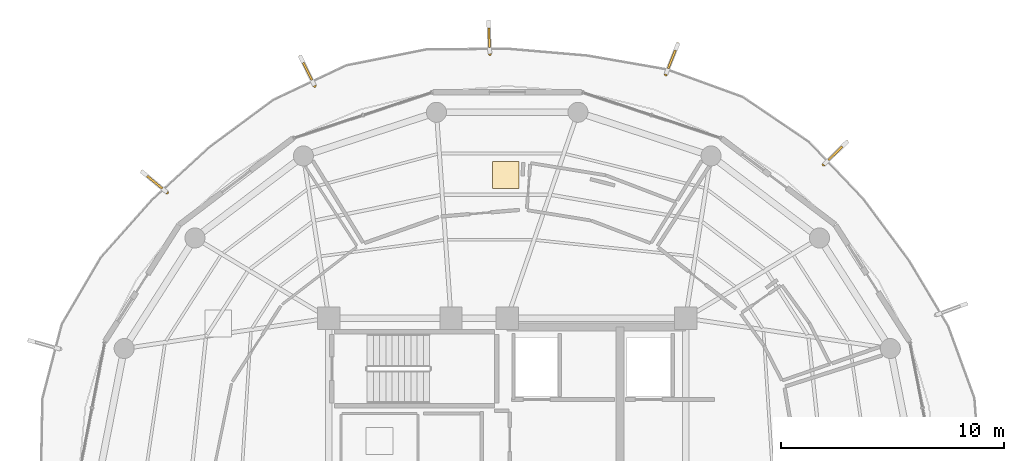
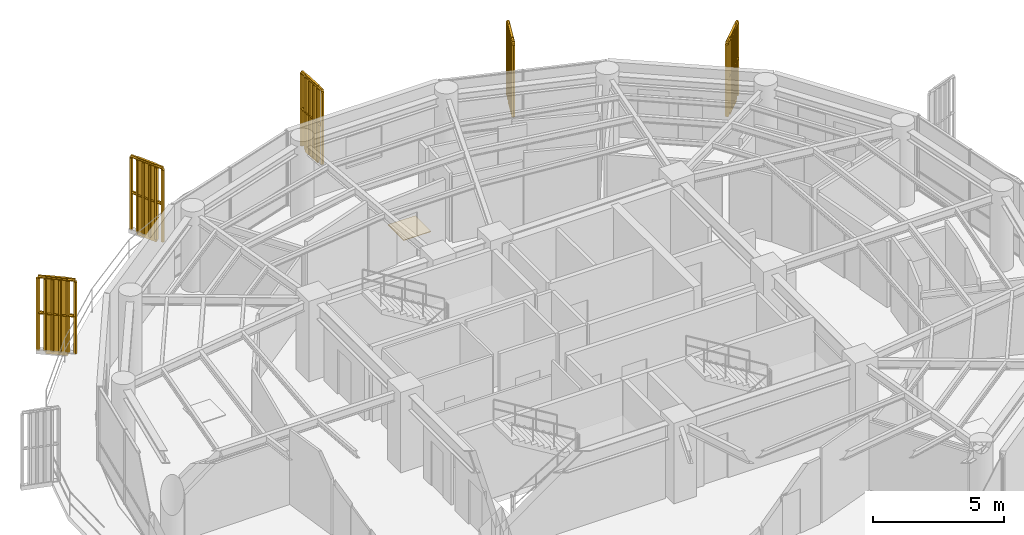
# One storey, part 22 of 22: 5 railings, 5 shading devices, 1 covering.
"""IFC4 building model written with IfcOpenShell, lengths in metres."""

from ifc_helpers import new_model, si_unit, direction, frame, origin, origin_2d, place, context, subcontext, project, spatial, polyline, rectangle, outline, extrude, source, transform, mapped, material, layer, layer_set, type_object, element, save


model = new_model("IFC4")

# Units and contexts
model_context = context("Model", 3, precision=1e-05, world=origin(), true_north=direction((0.0, 1.0)))
body_context = subcontext(model_context, "Body", "Model", "MODEL_VIEW")
ifc_project = project(units=[si_unit("LENGTHUNIT", "METRE"), si_unit("AREAUNIT", "SQUARE_METRE"), si_unit("VOLUMEUNIT", "CUBIC_METRE"), si_unit("PLANEANGLEUNIT", "RADIAN"), si_unit("MASSUNIT", "GRAM", prefix="KILO")], contexts=[model_context])

# Site, building, storey
site_placement = place(None, origin())
site = spatial("IfcSite", under=ifc_project, at=site_placement, CompositionType="ELEMENT")
building_placement = place(site_placement, origin())
building = spatial("IfcBuilding", under=site, at=building_placement, Name="Kelanora Arch Commons", CompositionType="ELEMENT")
storey_placement = place(building_placement, frame((0.0, 0.0, 263.699951171875)))
storey = spatial("IfcBuildingStorey", under=building, at=storey_placement, Name="L67", CompositionType="ELEMENT", Elevation=263.699951171875)

# Railings
ifc_material_1 = material(Name="Anodised bronze vertical shading fin rib assembly")
railing_type = type_object("IfcRailingType", Name="RAIL-FIN-BRZ", PredefinedType="BALUSTRADE", material=ifc_material_1)
railing_1_placement = place(storey_placement, frame((88.19482421875, 71.884521484375, -0.02001953125)))
element("IfcRailing", 1, at=railing_1_placement, inside=storey, type_object=railing_type, Name="Sweeping Bronze Vertical Fin Blade L67-03", PredefinedType="BALUSTRADE", context=body_context, shape_type="SweptSolid", body=[
    extrude(outline(polyline([(0.06982421875, 0.0), (0.034912109375, 0.060546875), (-0.034912109375, 0.060546875), (-0.06982421875, 0.0), (-0.034912109375, -0.060546875), (0.034912109375, -0.060546875), (0.06982421875, 0.0)])), frame((0.0, 0.0, 3.419921875), z_axis=(0.71491104996, 0.699215410761, 0.0), x_axis=(-0.699215410761, 0.71491104996, 0.0)), (0.0, 0.0, 1.0), 1.446533203125),
    extrude(outline(polyline([(0.06982421875, 0.0), (0.034912109375, 0.060546875), (-0.034912109375, 0.060546875), (-0.06982421875, 0.0), (-0.034912109375, -0.060546875), (0.034912109375, -0.060546875), (0.06982421875, 0.0)])), frame((0.0, 0.0, 1.7451171875), z_axis=(0.71491104996, 0.699215410761, 0.0), x_axis=(-0.699215410761, 0.71491104996, 0.0)), (0.0, 0.0, 1.0), 1.446533203125),
    extrude(outline(polyline([(0.080078125, 0.0), (0.0400390625, 0.0693359375), (-0.0400390625, 0.0693359375), (-0.080078125, 0.0), (-0.0400390625, -0.0693359375), (0.0400390625, -0.0693359375), (0.080078125, 0.0)])), origin(), (0.0, 0.0, 1.0), 3.35009765625),
    extrude(outline(polyline([(0.080078125, 0.0), (0.0400390625, 0.0693359375), (-0.0400390625, 0.0693359375), (-0.080078125, 0.0), (-0.0400390625, -0.0693359375), (0.0400390625, -0.0693359375), (0.080078125, 0.0)])), frame((0.206787109375, 0.202392578125, 0.0)), (0.0, 0.0, 1.0), 3.35009765625),
    extrude(outline(polyline([(0.080078125, 0.0), (0.0400390625, 0.0693359375), (-0.0400390625, 0.0693359375), (-0.080078125, 0.0), (-0.0400390625, -0.0693359375), (0.0400390625, -0.0693359375), (0.080078125, 0.0)])), frame((0.41357421875, 0.404541015625, 0.0)), (0.0, 0.0, 1.0), 3.35009765625),
    extrude(outline(polyline([(0.080078125, 0.0), (0.0400390625, 0.0693359375), (-0.0400390625, 0.0693359375), (-0.080078125, 0.0), (-0.0400390625, -0.0693359375), (0.0400390625, -0.0693359375), (0.080078125, 0.0)])), frame((0.62060546875, 0.60693359375, 0.0)), (0.0, 0.0, 1.0), 3.35009765625),
    extrude(outline(polyline([(0.080078125, 0.0), (0.0400390625, 0.0693359375), (-0.0400390625, 0.0693359375), (-0.080078125, 0.0), (-0.0400390625, -0.0693359375), (0.0400390625, -0.0693359375), (0.080078125, 0.0)])), frame((0.827392578125, 0.80908203125, 0.0)), (0.0, 0.0, 1.0), 3.35009765625),
    extrude(outline(polyline([(0.080078125, 0.0), (0.0400390625, 0.0693359375), (-0.0400390625, 0.0693359375), (-0.080078125, 0.0), (-0.0400390625, -0.0693359375), (0.0400390625, -0.0693359375), (0.080078125, 0.0)])), frame((1.0341796875, 1.011474609375, 0.0)), (0.0, 0.0, 1.0), 3.35009765625),
])
railing_2_placement = place(storey_placement, frame((81.113037109375, 75.935302734375, -0.02001953125)))
element("IfcRailing", 2, at=railing_2_placement, inside=storey, type_object=railing_type, Name="Sweeping Bronze Vertical Fin Blade L67-04", PredefinedType="BALUSTRADE", context=body_context, shape_type="SweptSolid", body=[
    extrude(outline(polyline([(0.06982421875, 0.0), (0.034912109375, 0.060546875), (-0.034912109375, 0.060546875), (-0.06982421875, 0.0), (-0.034912109375, -0.060546875), (0.034912109375, -0.060546875), (0.06982421875, 0.0)])), frame((0.0, 0.0, 3.419921875), z_axis=(0.368741374411, 0.929532032153, 0.0), x_axis=(-0.929532032153, 0.368741374411, 0.0)), (0.0, 0.0, 1.0), 1.44677734375),
    extrude(outline(polyline([(0.06982421875, 0.0), (0.034912109375, 0.060546875), (-0.034912109375, 0.060546875), (-0.06982421875, 0.0), (-0.034912109375, -0.060546875), (0.034912109375, -0.060546875), (0.06982421875, 0.0)])), frame((0.0, 0.0, 1.7451171875), z_axis=(0.368741374411, 0.929532032153, 0.0), x_axis=(-0.929532032153, 0.368741374411, 0.0)), (0.0, 0.0, 1.0), 1.44677734375),
    extrude(outline(polyline([(0.080078125, 0.0), (0.0400390625, 0.0693359375), (-0.0400390625, 0.0693359375), (-0.080078125, 0.0), (-0.0400390625, -0.0693359375), (0.0400390625, -0.0693359375), (0.080078125, 0.0)])), origin(), (0.0, 0.0, 1.0), 3.35009765625),
    extrude(outline(polyline([(0.080078125, 0.0), (0.0400390625, 0.0693359375), (-0.0400390625, 0.0693359375), (-0.080078125, 0.0), (-0.0400390625, -0.0693359375), (0.0400390625, -0.0693359375), (0.080078125, 0.0)])), frame((0.106689453125, 0.26904296875, 0.0)), (0.0, 0.0, 1.0), 3.35009765625),
    extrude(outline(polyline([(0.080078125, 0.0), (0.0400390625, 0.0693359375), (-0.0400390625, 0.0693359375), (-0.080078125, 0.0), (-0.0400390625, -0.0693359375), (0.0400390625, -0.0693359375), (0.080078125, 0.0)])), frame((0.21337890625, 0.537841796875, 0.0)), (0.0, 0.0, 1.0), 3.35009765625),
    extrude(outline(polyline([(0.080078125, 0.0), (0.0400390625, 0.0693359375), (-0.0400390625, 0.0693359375), (-0.080078125, 0.0), (-0.0400390625, -0.0693359375), (0.0400390625, -0.0693359375), (0.080078125, 0.0)])), frame((0.320068359375, 0.806884765625, 0.0)), (0.0, 0.0, 1.0), 3.35009765625),
    extrude(outline(polyline([(0.080078125, 0.0), (0.0400390625, 0.0693359375), (-0.0400390625, 0.0693359375), (-0.080078125, 0.0), (-0.0400390625, -0.0693359375), (0.0400390625, -0.0693359375), (0.080078125, 0.0)])), frame((0.4267578125, 1.07568359375, 0.0)), (0.0, 0.0, 1.0), 3.35009765625),
    extrude(outline(polyline([(0.080078125, 0.0), (0.0400390625, 0.0693359375), (-0.0400390625, 0.0693359375), (-0.080078125, 0.0), (-0.0400390625, -0.0693359375), (0.0400390625, -0.0693359375), (0.080078125, 0.0)])), frame((0.533447265625, 1.3447265625, 0.0)), (0.0, 0.0, 1.0), 3.35009765625),
])
railing_3_placement = place(storey_placement, frame((73.220703125, 76.853271484375, -0.02001953125)))
element("IfcRailing", 3, at=railing_3_placement, inside=storey, type_object=railing_type, Name="Sweeping Bronze Vertical Fin Blade L67-05", PredefinedType="BALUSTRADE", context=body_context, shape_type="SweptSolid", body=[
    extrude(outline(polyline([(0.06982421875, 0.0), (0.034912109375, 0.060546875), (-0.034912109375, 0.060546875), (-0.06982421875, 0.0), (-0.034912109375, -0.060546875), (0.034912109375, -0.060546875), (0.06982421875, 0.0)])), frame((0.0, 0.0, 3.419921875), z_axis=(-0.041349739827, 0.999144733768, 0.0), x_axis=(-0.999144733768, -0.041349739827, 0.0)), (0.0, 0.0, 1.0), 1.446533203125),
    extrude(outline(polyline([(0.06982421875, 0.0), (0.034912109375, 0.060546875), (-0.034912109375, 0.060546875), (-0.06982421875, 0.0), (-0.034912109375, -0.060546875), (0.034912109375, -0.060546875), (0.06982421875, 0.0)])), frame((0.0, 0.0, 1.7451171875), z_axis=(-0.041349739827, 0.999144733768, 0.0), x_axis=(-0.999144733768, -0.041349739827, 0.0)), (0.0, 0.0, 1.0), 1.446533203125),
    extrude(outline(polyline([(0.080078125, 0.0), (0.0400390625, 0.0693359375), (-0.0400390625, 0.0693359375), (-0.080078125, 0.0), (-0.0400390625, -0.0693359375), (0.0400390625, -0.0693359375), (0.080078125, 0.0)])), origin(), (0.0, 0.0, 1.0), 3.35009765625),
    extrude(outline(polyline([(0.080078125, 0.0), (0.0400390625, 0.0693359375), (-0.0400390625, 0.0693359375), (-0.080078125, 0.0), (-0.0400390625, -0.0693359375), (0.0400390625, -0.0693359375), (0.080078125, 0.0)])), frame((-0.011962890625, 0.2890625, 0.0)), (0.0, 0.0, 1.0), 3.35009765625),
    extrude(outline(polyline([(0.080078125, 0.0), (0.0400390625, 0.0693359375), (-0.0400390625, 0.0693359375), (-0.080078125, 0.0), (-0.0400390625, -0.0693359375), (0.0400390625, -0.0693359375), (0.080078125, 0.0)])), frame((-0.02392578125, 0.578125, 0.0)), (0.0, 0.0, 1.0), 3.35009765625),
    extrude(outline(polyline([(0.080078125, 0.0), (0.0400390625, 0.0693359375), (-0.0400390625, 0.0693359375), (-0.080078125, 0.0), (-0.0400390625, -0.0693359375), (0.0400390625, -0.0693359375), (0.080078125, 0.0)])), frame((-0.035888671875, 0.8671875, 0.0)), (0.0, 0.0, 1.0), 3.35009765625),
    extrude(outline(polyline([(0.080078125, 0.0), (0.0400390625, 0.0693359375), (-0.0400390625, 0.0693359375), (-0.080078125, 0.0), (-0.0400390625, -0.0693359375), (0.0400390625, -0.0693359375), (0.080078125, 0.0)])), frame((-0.0478515625, 1.15625, 0.0)), (0.0, 0.0, 1.0), 3.35009765625),
    extrude(outline(polyline([(0.080078125, 0.0), (0.0400390625, 0.0693359375), (-0.0400390625, 0.0693359375), (-0.080078125, 0.0), (-0.0400390625, -0.0693359375), (0.0400390625, -0.0693359375), (0.080078125, 0.0)])), frame((-0.059814453125, 1.4453125, 0.0)), (0.0, 0.0, 1.0), 3.35009765625),
])
railing_4_placement = place(storey_placement, frame((65.364990234375, 75.420166015625, -0.02001953125)))
element("IfcRailing", 4, at=railing_4_placement, inside=storey, type_object=railing_type, Name="Sweeping Bronze Vertical Fin Blade L67-06", PredefinedType="BALUSTRADE", context=body_context, shape_type="SweptSolid", body=[
    extrude(outline(polyline([(0.06982421875, 0.0), (0.034912109375, 0.060546875), (-0.034912109375, 0.060546875), (-0.06982421875, 0.0), (-0.034912109375, -0.060546875), (0.034912109375, -0.060546875), (0.06982421875, 0.0)])), frame((0.0, 0.0, 3.419921875), z_axis=(-0.444173356629, 0.895940862592, 0.0), x_axis=(-0.895940862592, -0.444173356629, 0.0)), (0.0, 0.0, 1.0), 1.44677734375),
    extrude(outline(polyline([(0.06982421875, 0.0), (0.034912109375, 0.060546875), (-0.034912109375, 0.060546875), (-0.06982421875, 0.0), (-0.034912109375, -0.060546875), (0.034912109375, -0.060546875), (0.06982421875, 0.0)])), frame((0.0, 0.0, 1.7451171875), z_axis=(-0.444173356629, 0.895940862592, 0.0), x_axis=(-0.895940862592, -0.444173356629, 0.0)), (0.0, 0.0, 1.0), 1.44677734375),
    extrude(outline(polyline([(0.080078125, 0.0), (0.0400390625, 0.0693359375), (-0.0400390625, 0.0693359375), (-0.080078125, 0.0), (-0.0400390625, -0.0693359375), (0.0400390625, -0.0693359375), (0.080078125, 0.0)])), origin(), (0.0, 0.0, 1.0), 3.35009765625),
    extrude(outline(polyline([(0.080078125, 0.0), (0.0400390625, 0.0693359375), (-0.0400390625, 0.0693359375), (-0.080078125, 0.0), (-0.0400390625, -0.0693359375), (0.0400390625, -0.0693359375), (0.080078125, 0.0)])), frame((-0.12841796875, 0.25927734375, 0.0)), (0.0, 0.0, 1.0), 3.35009765625),
    extrude(outline(polyline([(0.080078125, 0.0), (0.0400390625, 0.0693359375), (-0.0400390625, 0.0693359375), (-0.080078125, 0.0), (-0.0400390625, -0.0693359375), (0.0400390625, -0.0693359375), (0.080078125, 0.0)])), frame((-0.257080078125, 0.5185546875, 0.0)), (0.0, 0.0, 1.0), 3.35009765625),
    extrude(outline(polyline([(0.080078125, 0.0), (0.0400390625, 0.0693359375), (-0.0400390625, 0.0693359375), (-0.080078125, 0.0), (-0.0400390625, -0.0693359375), (0.0400390625, -0.0693359375), (0.080078125, 0.0)])), frame((-0.385498046875, 0.777587890625, 0.0)), (0.0, 0.0, 1.0), 3.35009765625),
    extrude(outline(polyline([(0.080078125, 0.0), (0.0400390625, 0.0693359375), (-0.0400390625, 0.0693359375), (-0.080078125, 0.0), (-0.0400390625, -0.0693359375), (0.0400390625, -0.0693359375), (0.080078125, 0.0)])), frame((-0.51416015625, 1.036865234375, 0.0)), (0.0, 0.0, 1.0), 3.35009765625),
    extrude(outline(polyline([(0.080078125, 0.0), (0.0400390625, 0.0693359375), (-0.0400390625, 0.0693359375), (-0.080078125, 0.0), (-0.0400390625, -0.0693359375), (0.0400390625, -0.0693359375), (0.080078125, 0.0)])), frame((-0.642578125, 1.296142578125, 0.0)), (0.0, 0.0, 1.0), 3.35009765625),
])
railing_5_placement = place(storey_placement, frame((58.747802734375, 70.632568359375, -0.02001953125)))
element("IfcRailing", 5, at=railing_5_placement, inside=storey, type_object=railing_type, Name="Sweeping Bronze Vertical Fin Blade L67-07", PredefinedType="BALUSTRADE", context=body_context, shape_type="SweptSolid", body=[
    extrude(outline(polyline([(0.06982421875, 0.0), (0.034912109375, 0.060546875), (-0.034912109375, 0.060546875), (-0.06982421875, 0.0), (-0.034912109375, -0.060546875), (0.034912109375, -0.060546875), (0.06982421875, 0.0)])), frame((0.0, 0.0, 3.419921875), z_axis=(-0.770085518727, 0.637940666401, 0.0), x_axis=(-0.637940666401, -0.770085518727, 0.0)), (0.0, 0.0, 1.0), 1.446533203125),
    extrude(outline(polyline([(0.06982421875, 0.0), (0.034912109375, 0.060546875), (-0.034912109375, 0.060546875), (-0.06982421875, 0.0), (-0.034912109375, -0.060546875), (0.034912109375, -0.060546875), (0.06982421875, 0.0)])), frame((0.0, 0.0, 1.7451171875), z_axis=(-0.770085518727, 0.637940666401, 0.0), x_axis=(-0.637940666401, -0.770085518727, 0.0)), (0.0, 0.0, 1.0), 1.446533203125),
    extrude(outline(polyline([(0.080078125, 0.0), (0.0400390625, 0.0693359375), (-0.0400390625, 0.0693359375), (-0.080078125, 0.0), (-0.0400390625, -0.0693359375), (0.0400390625, -0.0693359375), (0.080078125, 0.0)])), origin(), (0.0, 0.0, 1.0), 3.35009765625),
    extrude(outline(polyline([(0.080078125, 0.0), (0.0400390625, 0.0693359375), (-0.0400390625, 0.0693359375), (-0.080078125, 0.0), (-0.0400390625, -0.0693359375), (0.0400390625, -0.0693359375), (0.080078125, 0.0)])), frame((-0.222900390625, 0.1845703125, 0.0)), (0.0, 0.0, 1.0), 3.35009765625),
    extrude(outline(polyline([(0.080078125, 0.0), (0.0400390625, 0.0693359375), (-0.0400390625, 0.0693359375), (-0.080078125, 0.0), (-0.0400390625, -0.0693359375), (0.0400390625, -0.0693359375), (0.080078125, 0.0)])), frame((-0.445556640625, 0.369140625, 0.0)), (0.0, 0.0, 1.0), 3.35009765625),
    extrude(outline(polyline([(0.080078125, 0.0), (0.0400390625, 0.0693359375), (-0.0400390625, 0.0693359375), (-0.080078125, 0.0), (-0.0400390625, -0.0693359375), (0.0400390625, -0.0693359375), (0.080078125, 0.0)])), frame((-0.66845703125, 0.5537109375, 0.0)), (0.0, 0.0, 1.0), 3.35009765625),
    extrude(outline(polyline([(0.080078125, 0.0), (0.0400390625, 0.0693359375), (-0.0400390625, 0.0693359375), (-0.080078125, 0.0), (-0.0400390625, -0.0693359375), (0.0400390625, -0.0693359375), (0.080078125, 0.0)])), frame((-0.89111328125, 0.73828125, 0.0)), (0.0, 0.0, 1.0), 3.35009765625),
    extrude(outline(polyline([(0.080078125, 0.0), (0.0400390625, 0.0693359375), (-0.0400390625, 0.0693359375), (-0.080078125, 0.0), (-0.0400390625, -0.0693359375), (0.0400390625, -0.0693359375), (0.080078125, 0.0)])), frame((-1.114013671875, 0.9228515625, 0.0)), (0.0, 0.0, 1.0), 3.35009765625),
])

# Shading devices
ifc_material_2 = material(Name="Terracotta ceramic-clad extruded aluminium fin", Category="masonry")
shading_device_type = type_object("IfcShadingDeviceType", Name="SHD-FIN-FLARE", PredefinedType="USERDEFINED", material=ifc_material_2)
shared_shape_1 = source(origin(), body_context, "Body", "SweptSolid", [
    extrude(rectangle(XDim=0.8798828125, YDim=0.090087890625, at=origin_2d()), origin(), (0.0, 0.0, 1.0), 3.610107421875),
])
for number, where, z_axis, x_axis, name in (
    (6, (88.70947265625, 72.387939453125, -0.14013671875), (0.0, 0.0, 1.0), (0.714838924546, 0.699289147602, 0.0), "Sweeping Terracotta Fin L67-03"),
    (7, (81.37841796875, 76.6044921875, -0.14013671875), (0.0, 0.0, 1.0), (0.36861133203, 0.92958360888, 0.0), "Sweeping Terracotta Fin L67-04"),
    (8, (73.19091796875, 77.572509765625, -0.14013671875), (0.0, 0.0, 1.0), (-0.041352508522, 0.999144619181, 0.0), "Sweeping Terracotta Fin L67-05"),
    (9, (65.04541015625, 76.065185546875, -0.14013671875), (0.0, 0.0, 1.0), (-0.444166124676, 0.895944447882, 0.0), "Sweeping Terracotta Fin L67-06"),
    (10, (58.193359375, 71.091796875, -0.14013671875), (0.0, 0.0, 1.0), (-0.77017938275, 0.637827342144, 0.0), "Sweeping Terracotta Fin L67-07"),
):
    element("IfcShadingDevice", number, at=place(storey_placement, frame(where, z_axis=z_axis, x_axis=x_axis)), inside=storey, type_object=shading_device_type, Name=name, ObjectType="FIN", PredefinedType="USERDEFINED", context=body_context, shape_type="MappedRepresentation", body=[
        mapped(shared_shape_1, transform((0.0, 0.0, 0.0), scale=1.0)),
    ])

# Covering
ifc_material_3 = material(Name="Polished local granite terrazzo flooring", Category="masonry")
ifc_layer = layer(ifc_material_3, 0.030029296875)
ifc_layer_set = layer_set([ifc_layer], Name="Polished local granite terrazzo flooring")
covering_type = type_object("IfcCoveringType", Name="COV-FLR-TER", PredefinedType="FLOORING", material=ifc_layer_set)
shared_shape_2 = source(origin(), body_context, "Body", "SweptSolid", [
    extrude(rectangle(XDim=1.199951171875, YDim=1.199951171875, at=origin_2d()), origin(), (0.0, 0.0, 1.0), 0.030029296875),
])
covering_placement = place(storey_placement, frame((73.931640625, 71.420654296875, 0.0), z_axis=(0.0, 0.0, 1.0), x_axis=(1.0, 0.0, 0.0)))
element("IfcCovering", 11, at=covering_placement, inside=storey, type_object=covering_type, Name="Co-Living Studio L67-02 Terrazzo Finish", PredefinedType="FLOORING", context=body_context, shape_type="MappedRepresentation", body=[
    mapped(shared_shape_2, transform((0.0, 0.0, 0.0), scale=1.0)),
])

save(model, "model.ifc")
